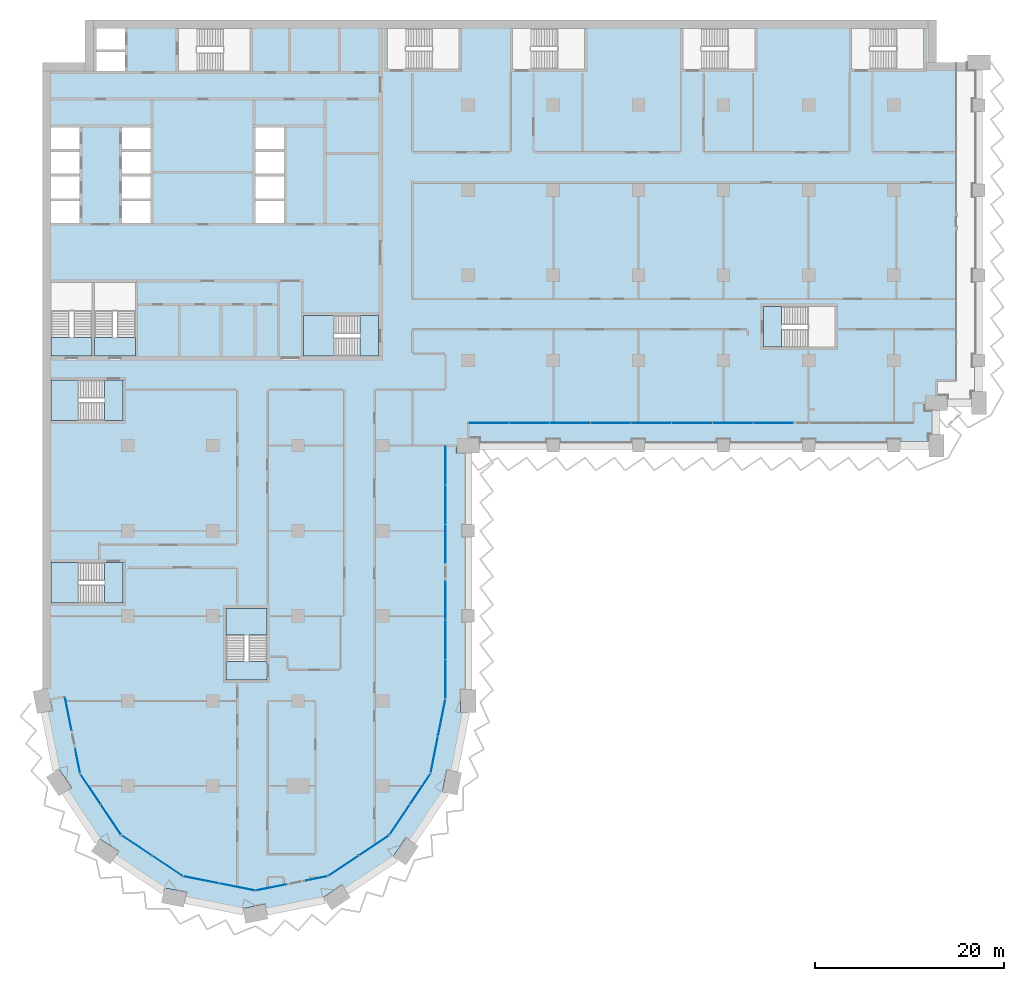
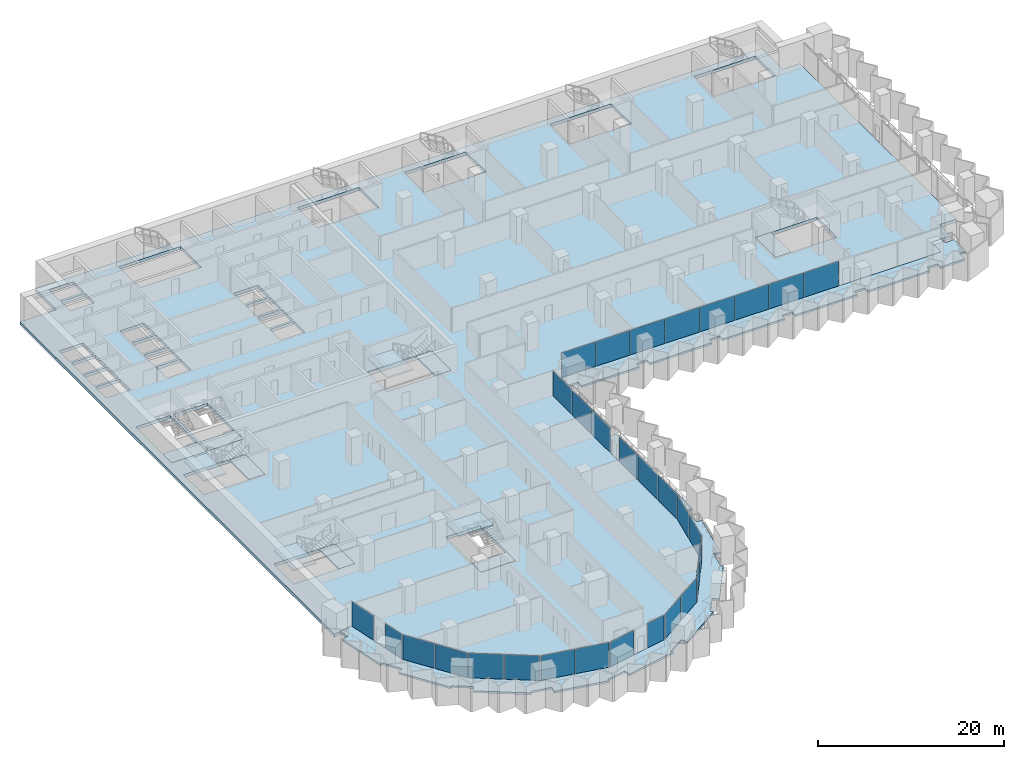
# One storey, part 8 of 28: 30 plates, 14 slabs, 17 elements without a shape of their own.
"""IFC4 building model written with IfcOpenShell, lengths in metres."""

from ifc_helpers import new_model, si_unit, direction, frame, origin, origin_2d, place, context, subcontext, project, spatial, polyline, rectangle, outline, extrude, material, layer, layer_set, type_object, element, aggregate, save


model = new_model("IFC4")

# Units and contexts
model_context = context("Model", 3, precision=1e-05, world=origin(), true_north=direction((0.0, 1.0)))
body_context = subcontext(model_context, "Body", "Model", "MODEL_VIEW")
ifc_project = project(units=[si_unit("LENGTHUNIT", "METRE"), si_unit("AREAUNIT", "SQUARE_METRE"), si_unit("VOLUMEUNIT", "CUBIC_METRE"), si_unit("PLANEANGLEUNIT", "RADIAN"), si_unit("MASSUNIT", "GRAM", prefix="KILO")], contexts=[model_context])

# Site, building, storey
site_placement = place(None, origin())
site = spatial("IfcSite", under=ifc_project, at=site_placement, CompositionType="ELEMENT")
building_placement = place(site_placement, origin())
building = spatial("IfcBuilding", under=site, at=building_placement, Name="Hunhe Ridgeline Campus", CompositionType="ELEMENT")
storey_placement = place(building_placement, frame((0.0, 0.0, 58.0)))
storey = spatial("IfcBuildingStorey", under=building, at=storey_placement, Name="L13", CompositionType="ELEMENT", Elevation=58.0)

# Curtain wall, plate
ifc_material_1 = material(Name="Aluminium 6063", Category="aluminium")
curtain_wall_type_1 = type_object("IfcCurtainWallType", Name="Curtain wall CW-5", PredefinedType="NOTDEFINED", material=ifc_material_1)
curtain_wall_1_placement = place(storey_placement, origin())
curtain_wall_1 = element("IfcCurtainWall", 1, at=curtain_wall_1_placement, inside=storey, type_object=curtain_wall_type_1, Name="Curtain wall 01", PredefinedType="NOTDEFINED")
ifc_material_2 = material(Name="Low-e laminated glass", Category="glass")
ifc_layer_1 = layer(ifc_material_2, 0.028076171875)
ifc_layer_set_1 = layer_set([ifc_layer_1], Name="Curtain wall glass panel 28 low-e laminated")
plate_type = type_object("IfcPlateType", Name="Curtain wall glass panel 28 low-e laminated", PredefinedType="CURTAIN_PANEL", material=ifc_layer_set_1)
plate_1_placement = place(storey_placement, frame((2.7158203125, 25.65380859375, 0.0), z_axis=(0.0, 0.0, 1.0), x_axis=(0.195095326561, -0.980784284924, 0.0)))
plate_1 = element("IfcPlate", 2, at=plate_1_placement, type_object=plate_type, Name="CW-5 panel 1", PredefinedType="CURTAIN_PANEL", context=body_context, shape_type="SweptSolid", body=[
    extrude(rectangle(XDim=3.560791015625, YDim=0.028076171875, at=origin_2d()), origin(), (0.0, 0.0, 1.0), 3.22998046875),
])
aggregate(curtain_wall_1, [plate_1])

curtain_wall_2_placement = place(storey_placement, origin())
curtain_wall_2 = element("IfcCurtainWall", 3, at=curtain_wall_2_placement, inside=storey, type_object=curtain_wall_type_1, Name="Curtain wall 02", PredefinedType="NOTDEFINED")
plate_2_placement = place(storey_placement, frame((3.701171875, 20.699951171875, 0.0), z_axis=(0.0, 0.0, 1.0), x_axis=(0.195095265587, -0.980784297053, 0.0)))
plate_2 = element("IfcPlate", 4, at=plate_2_placement, type_object=plate_type, Name="CW-5 panel 1", PredefinedType="CURTAIN_PANEL", context=body_context, shape_type="SweptSolid", body=[
    extrude(rectangle(XDim=2.660888671875, YDim=0.028076171875, at=origin_2d()), origin(), (0.0, 0.0, 1.0), 3.22998046875),
])
aggregate(curtain_wall_2, [plate_2])

# Curtain wall, plates
curtain_wall_3_placement = place(storey_placement, origin())
curtain_wall_3 = element("IfcCurtainWall", 5, at=curtain_wall_3_placement, inside=storey, type_object=curtain_wall_type_1, Name="Curtain wall 03", PredefinedType="NOTDEFINED")
plate_3_placement = place(storey_placement, frame((5.07080078125, 17.685546875, 0.0), z_axis=(0.0, 0.0, 1.0), x_axis=(0.555570274596, -0.831469584522, 0.0)))
plate_3 = element("IfcPlate", 6, at=plate_3_placement, type_object=plate_type, Name="CW-5 panel 1", PredefinedType="CURTAIN_PANEL", context=body_context, shape_type="SweptSolid", body=[
    extrude(rectangle(XDim=3.806884765625, YDim=0.028076171875, at=origin_2d()), origin(), (0.0, 0.0, 1.0), 3.22998046875),
])
plate_4_placement = place(storey_placement, frame((7.224609375, 14.4619140625, 0.0), z_axis=(0.0, 0.0, 1.0), x_axis=(0.555570274596, -0.831469584522, 0.0)))
plate_4 = element("IfcPlate", 7, at=plate_4_placement, type_object=plate_type, Name="CW-5 panel 2", PredefinedType="CURTAIN_PANEL", context=body_context, shape_type="SweptSolid", body=[
    extrude(rectangle(XDim=3.806884765625, YDim=0.028076171875, at=origin_2d()), origin(), (0.0, 0.0, 1.0), 3.22998046875),
])
aggregate(curtain_wall_3, [plate_3, plate_4])

curtain_wall_4_placement = place(storey_placement, origin())
curtain_wall_4 = element("IfcCurtainWall", 8, at=curtain_wall_4_placement, inside=storey, type_object=curtain_wall_type_1, Name="Curtain wall 04", PredefinedType="NOTDEFINED")
plate_5_placement = place(storey_placement, frame((9.9619140625, 11.724609375, 0.0), z_axis=(0.0, 0.0, 1.0), x_axis=(0.831469584522, -0.555570274596, 0.0)))
plate_5 = element("IfcPlate", 9, at=plate_5_placement, type_object=plate_type, Name="CW-5 panel 1", PredefinedType="CURTAIN_PANEL", context=body_context, shape_type="SweptSolid", body=[
    extrude(rectangle(XDim=3.806884765625, YDim=0.028076171875, at=origin_2d()), origin(), (0.0, 0.0, 1.0), 3.22998046875),
])
plate_6_placement = place(storey_placement, frame((13.185546875, 9.57080078125, 0.0), z_axis=(0.0, 0.0, 1.0), x_axis=(0.831469584522, -0.555570274596, 0.0)))
plate_6 = element("IfcPlate", 10, at=plate_6_placement, type_object=plate_type, Name="CW-5 panel 2", PredefinedType="CURTAIN_PANEL", context=body_context, shape_type="SweptSolid", body=[
    extrude(rectangle(XDim=3.806884765625, YDim=0.028076171875, at=origin_2d()), origin(), (0.0, 0.0, 1.0), 3.22998046875),
])
aggregate(curtain_wall_4, [plate_5, plate_6])

curtain_wall_5_placement = place(storey_placement, origin())
curtain_wall_5 = element("IfcCurtainWall", 11, at=curtain_wall_5_placement, inside=storey, type_object=curtain_wall_type_1, Name="Curtain wall 05", PredefinedType="NOTDEFINED")
plate_7_placement = place(storey_placement, frame((16.761962890625, 8.08935546875, 0.0), z_axis=(0.0, 0.0, 1.0), x_axis=(0.980785275326, -0.195090347539, 0.0)))
plate_7 = element("IfcPlate", 12, at=plate_7_placement, type_object=plate_type, Name="CW-5 panel 1", PredefinedType="CURTAIN_PANEL", context=body_context, shape_type="SweptSolid", body=[
    extrude(rectangle(XDim=3.806884765625, YDim=0.028076171875, at=origin_2d()), origin(), (0.0, 0.0, 1.0), 3.22998046875),
])
plate_8_placement = place(storey_placement, frame((20.564453125, 7.3330078125, 0.0), z_axis=(0.0, 0.0, 1.0), x_axis=(0.980785275326, -0.195090347539, 0.0)))
plate_8 = element("IfcPlate", 13, at=plate_8_placement, type_object=plate_type, Name="CW-5 panel 2", PredefinedType="CURTAIN_PANEL", context=body_context, shape_type="SweptSolid", body=[
    extrude(rectangle(XDim=3.806884765625, YDim=0.028076171875, at=origin_2d()), origin(), (0.0, 0.0, 1.0), 3.22998046875),
])
aggregate(curtain_wall_5, [plate_7, plate_8])

# Curtain wall, plate
curtain_wall_6_placement = place(storey_placement, origin())
curtain_wall_6 = element("IfcCurtainWall", 14, at=curtain_wall_6_placement, inside=storey, type_object=curtain_wall_type_1, Name="Curtain wall 06", PredefinedType="NOTDEFINED")
plate_9_placement = place(storey_placement, frame((24.19775390625, 7.28564453125, 0.0), z_axis=(0.0, 0.0, 1.0), x_axis=(0.980785270791, 0.19509037034, 0.0)))
plate_9 = element("IfcPlate", 15, at=plate_9_placement, type_object=plate_type, Name="CW-5 panel 1", PredefinedType="CURTAIN_PANEL", context=body_context, shape_type="SweptSolid", body=[
    extrude(rectangle(XDim=3.322021484375, YDim=0.028076171875, at=origin_2d()), origin(), (0.0, 0.0, 1.0), 3.22998046875),
])
aggregate(curtain_wall_6, [plate_9])

curtain_wall_7_placement = place(storey_placement, origin())
curtain_wall_7 = element("IfcCurtainWall", 16, at=curtain_wall_7_placement, inside=storey, type_object=curtain_wall_type_1, Name="Curtain wall 07", PredefinedType="NOTDEFINED")
plate_10_placement = place(storey_placement, frame((28.917236328125, 8.224609375, 0.0), z_axis=(0.0, 0.0, 1.0), x_axis=(0.980785242091, 0.195090514627, 0.0)))
plate_10 = element("IfcPlate", 17, at=plate_10_placement, type_object=plate_type, Name="CW-5 panel 1", PredefinedType="CURTAIN_PANEL", context=body_context, shape_type="SweptSolid", body=[
    extrude(rectangle(XDim=2.421875, YDim=0.028076171875, at=origin_2d()), origin(), (0.0, 0.0, 1.0), 3.22998046875),
])
aggregate(curtain_wall_7, [plate_10])

# Curtain wall, plates
curtain_wall_8_placement = place(storey_placement, origin())
curtain_wall_8 = element("IfcCurtainWall", 18, at=curtain_wall_8_placement, inside=storey, type_object=curtain_wall_type_1, Name="Curtain wall 08", PredefinedType="NOTDEFINED")
plate_11_placement = place(storey_placement, frame((31.814453125, 9.57080078125, 0.0), z_axis=(0.0, 0.0, 1.0), x_axis=(0.831469584522, 0.555570274596, 0.0)))
plate_11 = element("IfcPlate", 19, at=plate_11_placement, type_object=plate_type, Name="CW-5 panel 1", PredefinedType="CURTAIN_PANEL", context=body_context, shape_type="SweptSolid", body=[
    extrude(rectangle(XDim=3.806884765625, YDim=0.028076171875, at=origin_2d()), origin(), (0.0, 0.0, 1.0), 3.22998046875),
])
plate_12_placement = place(storey_placement, frame((35.0380859375, 11.724609375, 0.0), z_axis=(0.0, 0.0, 1.0), x_axis=(0.831469584522, 0.555570274596, 0.0)))
plate_12 = element("IfcPlate", 20, at=plate_12_placement, type_object=plate_type, Name="CW-5 panel 2", PredefinedType="CURTAIN_PANEL", context=body_context, shape_type="SweptSolid", body=[
    extrude(rectangle(XDim=3.806884765625, YDim=0.028076171875, at=origin_2d()), origin(), (0.0, 0.0, 1.0), 3.22998046875),
])
aggregate(curtain_wall_8, [plate_11, plate_12])

curtain_wall_9_placement = place(storey_placement, origin())
curtain_wall_9 = element("IfcCurtainWall", 21, at=curtain_wall_9_placement, inside=storey, type_object=curtain_wall_type_1, Name="Curtain wall 09", PredefinedType="NOTDEFINED")
plate_13_placement = place(storey_placement, frame((37.775390625, 14.4619140625, 0.0), z_axis=(0.0, 0.0, 1.0), x_axis=(0.555570274596, 0.831469584522, 0.0)))
plate_13 = element("IfcPlate", 22, at=plate_13_placement, type_object=plate_type, Name="CW-5 panel 1", PredefinedType="CURTAIN_PANEL", context=body_context, shape_type="SweptSolid", body=[
    extrude(rectangle(XDim=3.806884765625, YDim=0.028076171875, at=origin_2d()), origin(), (0.0, 0.0, 1.0), 3.22998046875),
])
plate_14_placement = place(storey_placement, frame((39.92919921875, 17.685546875, 0.0), z_axis=(0.0, 0.0, 1.0), x_axis=(0.555570274596, 0.831469584522, 0.0)))
plate_14 = element("IfcPlate", 23, at=plate_14_placement, type_object=plate_type, Name="CW-5 panel 2", PredefinedType="CURTAIN_PANEL", context=body_context, shape_type="SweptSolid", body=[
    extrude(rectangle(XDim=3.806884765625, YDim=0.028076171875, at=origin_2d()), origin(), (0.0, 0.0, 1.0), 3.22998046875),
])
aggregate(curtain_wall_9, [plate_13, plate_14])

curtain_wall_10_placement = place(storey_placement, origin())
curtain_wall_10 = element("IfcCurtainWall", 24, at=curtain_wall_10_placement, inside=storey, type_object=curtain_wall_type_1, Name="Curtain wall 10", PredefinedType="NOTDEFINED")
plate_15_placement = place(storey_placement, frame((41.42236328125, 21.321044921875, 0.0), z_axis=(0.0, 0.0, 1.0), x_axis=(0.195090299215, 0.980785284939, 0.0)))
plate_15 = element("IfcPlate", 25, at=plate_15_placement, type_object=plate_type, Name="CW-5 panel 1", PredefinedType="CURTAIN_PANEL", context=body_context, shape_type="SweptSolid", body=[
    extrude(rectangle(XDim=3.927490234375, YDim=0.028076171875, at=origin_2d()), origin(), (0.0, 0.0, 1.0), 3.22998046875),
])
plate_16_placement = place(storey_placement, frame((42.2021484375, 25.24169921875, 0.0), z_axis=(0.0, 0.0, 1.0), x_axis=(0.195090299215, 0.980785284939, 0.0)))
plate_16 = element("IfcPlate", 26, at=plate_16_placement, type_object=plate_type, Name="CW-5 panel 2", PredefinedType="CURTAIN_PANEL", context=body_context, shape_type="SweptSolid", body=[
    extrude(rectangle(XDim=3.927490234375, YDim=0.028076171875, at=origin_2d()), origin(), (0.0, 0.0, 1.0), 3.22998046875),
])
aggregate(curtain_wall_10, [plate_15, plate_16])

curtain_wall_type_2 = type_object("IfcCurtainWallType", Name="Curtain wall CW-1", PredefinedType="NOTDEFINED", material=ifc_material_1)
curtain_wall_11_placement = place(storey_placement, origin())
curtain_wall_11 = element("IfcCurtainWall", 27, at=curtain_wall_11_placement, inside=storey, type_object=curtain_wall_type_2, Name="Curtain wall 11", PredefinedType="NOTDEFINED")
plate_17_placement = place(storey_placement, frame((42.59912109375, 29.331787109375, 0.0), z_axis=(0.0, 0.0, 1.0), x_axis=(1.60239e-07, 1.0, 0.0)))
plate_17 = element("IfcPlate", 28, at=plate_17_placement, type_object=plate_type, Name="CW-1 panel 1", PredefinedType="CURTAIN_PANEL", context=body_context, shape_type="SweptSolid", body=[
    extrude(rectangle(XDim=4.070556640625, YDim=0.028076171875, at=origin_2d()), origin(), (0.0, 0.0, 1.0), 3.239990234375),
])
plate_18_placement = place(storey_placement, frame((42.59912109375, 33.477294921875, 0.0), z_axis=(0.0, 0.0, 1.0), x_axis=(1.60239e-07, 1.0, 0.0)))
plate_18 = element("IfcPlate", 29, at=plate_18_placement, type_object=plate_type, Name="CW-1 panel 2", PredefinedType="CURTAIN_PANEL", context=body_context, shape_type="SweptSolid", body=[
    extrude(rectangle(XDim=4.1005859375, YDim=0.028076171875, at=origin_2d()), origin(), (0.0, 0.0, 1.0), 3.239990234375),
])
plate_19_placement = place(storey_placement, frame((42.59912109375, 37.623046875, 0.0), z_axis=(0.0, 0.0, 1.0), x_axis=(1.60239e-07, 1.0, 0.0)))
plate_19 = element("IfcPlate", 30, at=plate_19_placement, type_object=plate_type, Name="CW-1 panel 3", PredefinedType="CURTAIN_PANEL", context=body_context, shape_type="SweptSolid", body=[
    extrude(rectangle(XDim=4.070556640625, YDim=0.028076171875, at=origin_2d()), origin(), (0.0, 0.0, 1.0), 3.239990234375),
])
aggregate(curtain_wall_11, [plate_17, plate_18, plate_19])

curtain_wall_12_placement = place(storey_placement, origin())
curtain_wall_12 = element("IfcCurtainWall", 31, at=curtain_wall_12_placement, inside=storey, type_object=curtain_wall_type_2, Name="Curtain wall 12", PredefinedType="NOTDEFINED")
plate_20_placement = place(storey_placement, frame((42.59912109375, 43.613525390625, 0.0), z_axis=(0.0, 0.0, 1.0), x_axis=(1.60239e-07, 1.0, 0.0)))
plate_20 = element("IfcPlate", 32, at=plate_20_placement, type_object=plate_type, Name="CW-1 panel 1", PredefinedType="CURTAIN_PANEL", context=body_context, shape_type="SweptSolid", body=[
    extrude(rectangle(XDim=4.070556640625, YDim=0.028076171875, at=origin_2d()), origin(), (0.0, 0.0, 1.0), 3.239990234375),
])
plate_21_placement = place(storey_placement, frame((42.59912109375, 47.75927734375, 0.0), z_axis=(0.0, 0.0, 1.0), x_axis=(1.60239e-07, 1.0, 0.0)))
plate_21 = element("IfcPlate", 33, at=plate_21_placement, type_object=plate_type, Name="CW-1 panel 2", PredefinedType="CURTAIN_PANEL", context=body_context, shape_type="SweptSolid", body=[
    extrude(rectangle(XDim=4.1005859375, YDim=0.028076171875, at=origin_2d()), origin(), (0.0, 0.0, 1.0), 3.239990234375),
])
plate_22_placement = place(storey_placement, frame((42.59912109375, 51.90478515625, 0.0), z_axis=(0.0, 0.0, 1.0), x_axis=(1.60239e-07, 1.0, 0.0)))
plate_22 = element("IfcPlate", 34, at=plate_22_placement, type_object=plate_type, Name="CW-1 panel 3", PredefinedType="CURTAIN_PANEL", context=body_context, shape_type="SweptSolid", body=[
    extrude(rectangle(XDim=4.070556640625, YDim=0.028076171875, at=origin_2d()), origin(), (0.0, 0.0, 1.0), 3.239990234375),
])
aggregate(curtain_wall_12, [plate_20, plate_21, plate_22])

curtain_wall_13_placement = place(storey_placement, origin())
curtain_wall_13 = element("IfcCurtainWall", 35, at=curtain_wall_13_placement, inside=storey, type_object=curtain_wall_type_2, Name="Curtain wall 13", PredefinedType="NOTDEFINED")
plate_23_placement = place(storey_placement, frame((47.166015625, 56.40087890625, 0.0), z_axis=(0.0, 0.0, 1.0), x_axis=(0.999999999994, 3.602063e-06, 0.0)))
plate_23 = element("IfcPlate", 36, at=plate_23_placement, type_object=plate_type, Name="CW-1 panel 1", PredefinedType="CURTAIN_PANEL", context=body_context, shape_type="SweptSolid", body=[
    extrude(rectangle(XDim=4.213134765625, YDim=0.028076171875, at=origin_2d()), origin(), (0.0, 0.0, 1.0), 3.239990234375),
])
plate_24_placement = place(storey_placement, frame((51.4541015625, 56.40087890625, 0.0), z_axis=(0.0, 0.0, 1.0), x_axis=(0.999999999994, 3.602063e-06, 0.0)))
plate_24 = element("IfcPlate", 37, at=plate_24_placement, type_object=plate_type, Name="CW-1 panel 2", PredefinedType="CURTAIN_PANEL", context=body_context, shape_type="SweptSolid", body=[
    extrude(rectangle(XDim=4.2431640625, YDim=0.028076171875, at=origin_2d()), origin(), (0.0, 0.0, 1.0), 3.239990234375),
])
plate_25_placement = place(storey_placement, frame((55.757080078125, 56.40087890625, 0.0), z_axis=(0.0, 0.0, 1.0), x_axis=(0.999999999994, 3.602063e-06, 0.0)))
plate_25 = element("IfcPlate", 38, at=plate_25_placement, type_object=plate_type, Name="CW-1 panel 3", PredefinedType="CURTAIN_PANEL", context=body_context, shape_type="SweptSolid", body=[
    extrude(rectangle(XDim=4.2431640625, YDim=0.028076171875, at=origin_2d()), origin(), (0.0, 0.0, 1.0), 3.239990234375),
])
plate_26_placement = place(storey_placement, frame((60.060302734375, 56.40087890625, 0.0), z_axis=(0.0, 0.0, 1.0), x_axis=(0.999999999994, 3.602063e-06, 0.0)))
plate_26 = element("IfcPlate", 39, at=plate_26_placement, type_object=plate_type, Name="CW-1 panel 4", PredefinedType="CURTAIN_PANEL", context=body_context, shape_type="SweptSolid", body=[
    extrude(rectangle(XDim=4.2431640625, YDim=0.028076171875, at=origin_2d()), origin(), (0.0, 0.0, 1.0), 3.239990234375),
])
plate_27_placement = place(storey_placement, frame((64.36328125, 56.40087890625, 0.0), z_axis=(0.0, 0.0, 1.0), x_axis=(0.999999999994, 3.602063e-06, 0.0)))
plate_27 = element("IfcPlate", 40, at=plate_27_placement, type_object=plate_type, Name="CW-1 panel 5", PredefinedType="CURTAIN_PANEL", context=body_context, shape_type="SweptSolid", body=[
    extrude(rectangle(XDim=4.2431640625, YDim=0.028076171875, at=origin_2d()), origin(), (0.0, 0.0, 1.0), 3.239990234375),
])
plate_28_placement = place(storey_placement, frame((68.66650390625, 56.40087890625, 0.0), z_axis=(0.0, 0.0, 1.0), x_axis=(0.999999999994, 3.602063e-06, 0.0)))
plate_28 = element("IfcPlate", 41, at=plate_28_placement, type_object=plate_type, Name="CW-1 panel 6", PredefinedType="CURTAIN_PANEL", context=body_context, shape_type="SweptSolid", body=[
    extrude(rectangle(XDim=4.2431640625, YDim=0.028076171875, at=origin_2d()), origin(), (0.0, 0.0, 1.0), 3.239990234375),
])
plate_29_placement = place(storey_placement, frame((72.969482421875, 56.40087890625, 0.0), z_axis=(0.0, 0.0, 1.0), x_axis=(0.999999999994, 3.602063e-06, 0.0)))
plate_29 = element("IfcPlate", 42, at=plate_29_placement, type_object=plate_type, Name="CW-1 panel 7", PredefinedType="CURTAIN_PANEL", context=body_context, shape_type="SweptSolid", body=[
    extrude(rectangle(XDim=4.2431640625, YDim=0.028076171875, at=origin_2d()), origin(), (0.0, 0.0, 1.0), 3.239990234375),
])
plate_30_placement = place(storey_placement, frame((77.257568359375, 56.40087890625, 0.0), z_axis=(0.0, 0.0, 1.0), x_axis=(0.999999999994, 3.602063e-06, 0.0)))
plate_30 = element("IfcPlate", 43, at=plate_30_placement, type_object=plate_type, Name="CW-1 panel 8", PredefinedType="CURTAIN_PANEL", context=body_context, shape_type="SweptSolid", body=[
    extrude(rectangle(XDim=4.213134765625, YDim=0.028076171875, at=origin_2d()), origin(), (0.0, 0.0, 1.0), 3.239990234375),
])
aggregate(curtain_wall_13, [plate_23, plate_24, plate_25, plate_26, plate_27, plate_28, plate_29, plate_30])

# Slabs
ifc_material_3 = material(Name="Concrete C40", Category="concrete")
ifc_layer_2 = layer(ifc_material_3, 0.39990234375)
ifc_layer_set_2 = layer_set([ifc_layer_2], Name="Floor slab 400 Concrete C40")
slab_type_1 = type_object("IfcSlabType", Name="Floor slab 400 Concrete C40", PredefinedType="FLOOR", material=ifc_layer_set_2)
slab_1_placement = place(storey_placement, frame((0.0, 0.0, -0.39990234375)))
element("IfcSlab", 44, at=slab_1_placement, inside=storey, type_object=slab_type_1, Name="Floor slab L13 1", PredefinedType="FLOOR", context=body_context, shape_type="SweptSolid", body=[
    extrude(outline(polyline([(4.5, 94.5), (0.0, 94.5), (0.0, 27.0009765625), (2.354736328125, 27.46875), (3.974365234375, 19.326416015625), (8.321044921875, 12.821044921875), (14.826416015625, 8.474365234375), (22.5, 6.947998046875), (30.173583984375, 8.474365234375), (36.678955078125, 12.821044921875), (41.025634765625, 19.326416015625), (42.59912109375, 27.236572265625), (42.59912109375, 54.0), (44.9990234375, 54.0009765625), (44.99951171875, 56.40087890625), (92.09912109375, 56.40087890625), (92.099365234375, 58.500732421875), (94.4990234375, 58.5009765625), (94.499267578125, 60.900634765625), (96.59912109375, 60.90087890625), (96.59912109375, 94.5), (94.5, 94.5), (94.5, 99.0), (4.5, 99.0), (4.5, 94.5)]), holes=[polyline([(93.14990234375, 93.800048828125), (93.14990234375, 98.10009765625), (85.550048828125, 98.10009765625), (85.550048828125, 93.800048828125), (93.14990234375, 93.800048828125)]), polyline([(76.199951171875, 68.699951171875), (76.199951171875, 64.39990234375), (83.800048828125, 64.39990234375), (83.800048828125, 68.699951171875), (76.199951171875, 68.699951171875)]), polyline([(75.300048828125, 98.10009765625), (67.699951171875, 98.10009765625), (67.699951171875, 93.800048828125), (75.300048828125, 93.800048828125), (75.300048828125, 98.10009765625)]), polyline([(49.699951171875, 98.10009765625), (49.699951171875, 93.800048828125), (57.300048828125, 93.800048828125), (57.300048828125, 98.10009765625), (49.699951171875, 98.10009765625)]), polyline([(36.449951171875, 93.800048828125), (44.050048828125, 93.800048828125), (44.050048828125, 98.10009765625), (36.449951171875, 98.10009765625), (36.449951171875, 93.800048828125)]), polyline([(35.5, 63.5), (35.5, 67.75), (27.60009765625, 67.75), (27.60009765625, 63.5), (35.5, 63.5)]), polyline([(25.5, 80.14990234375), (25.5, 82.449951171875), (22.5, 82.449951171875), (22.5, 80.14990234375), (25.5, 80.14990234375)]), polyline([(25.5, 79.85009765625), (22.5, 79.85009765625), (22.5, 77.550048828125), (25.5, 77.550048828125), (25.5, 79.85009765625)]), polyline([(22.5, 87.64990234375), (22.5, 85.35009765625), (25.5, 85.35009765625), (25.5, 87.64990234375), (22.5, 87.64990234375)]), polyline([(22.5, 82.75), (25.5, 82.75), (25.5, 85.050048828125), (22.5, 85.050048828125), (22.5, 82.75)]), polyline([(23.699951171875, 29.199951171875), (23.699951171875, 36.800048828125), (19.39990234375, 36.800048828125), (19.39990234375, 29.199951171875), (23.699951171875, 29.199951171875)]), polyline([(14.35009765625, 93.60009765625), (21.949951171875, 93.60009765625), (21.949951171875, 98.10009765625), (14.35009765625, 98.10009765625), (14.35009765625, 93.60009765625)]), polyline([(11.39990234375, 79.85009765625), (8.39990234375, 79.85009765625), (8.39990234375, 77.550048828125), (11.39990234375, 77.550048828125), (11.39990234375, 79.85009765625)]), polyline([(11.39990234375, 80.14990234375), (11.39990234375, 82.449951171875), (8.39990234375, 82.449951171875), (8.39990234375, 80.14990234375), (11.39990234375, 80.14990234375)]), polyline([(8.39990234375, 87.64990234375), (8.39990234375, 85.35009765625), (11.39990234375, 85.35009765625), (11.39990234375, 87.64990234375), (8.39990234375, 87.64990234375)]), polyline([(8.39990234375, 82.75), (11.39990234375, 82.75), (11.39990234375, 85.050048828125), (8.39990234375, 85.050048828125), (8.39990234375, 82.75)]), polyline([(9.800048828125, 71.25), (5.5, 71.25), (5.5, 63.5), (9.800048828125, 63.5), (9.800048828125, 71.25)]), polyline([(8.699951171875, 95.89990234375), (8.699951171875, 98.10009765625), (5.699951171875, 98.10009765625), (5.699951171875, 95.89990234375), (8.699951171875, 95.89990234375)]), polyline([(8.699951171875, 95.60009765625), (5.699951171875, 95.60009765625), (5.699951171875, 93.60009765625), (8.699951171875, 93.60009765625), (8.699951171875, 95.60009765625)]), polyline([(0.89990234375, 37.35009765625), (8.5, 37.35009765625), (8.5, 41.64990234375), (0.89990234375, 41.64990234375), (0.89990234375, 37.35009765625)]), polyline([(0.89990234375, 60.949951171875), (0.89990234375, 56.64990234375), (8.5, 56.64990234375), (8.5, 60.949951171875), (0.89990234375, 60.949951171875)]), polyline([(0.89990234375, 71.25), (0.89990234375, 63.5), (5.199951171875, 63.5), (5.199951171875, 71.25), (0.89990234375, 71.25)]), polyline([(3.89990234375, 80.14990234375), (3.89990234375, 82.449951171875), (0.89990234375, 82.449951171875), (0.89990234375, 80.14990234375), (3.89990234375, 80.14990234375)]), polyline([(3.89990234375, 79.85009765625), (0.89990234375, 79.85009765625), (0.89990234375, 77.550048828125), (3.89990234375, 77.550048828125), (3.89990234375, 79.85009765625)]), polyline([(0.89990234375, 87.64990234375), (0.89990234375, 85.35009765625), (3.89990234375, 85.35009765625), (3.89990234375, 87.64990234375), (0.89990234375, 87.64990234375)]), polyline([(0.89990234375, 82.75), (3.89990234375, 82.75), (3.89990234375, 85.050048828125), (0.89990234375, 85.050048828125), (0.89990234375, 82.75)])]), origin(), (0.0, 0.0, 1.0), 0.39990234375),
])
ifc_layer_3 = layer(ifc_material_3, 0.25)
ifc_layer_set_3 = layer_set([ifc_layer_3], Name="Loggia slab 250 Concrete C40")
slab_type_2 = type_object("IfcSlabType", Name="Loggia slab 250 Concrete C40", PredefinedType="FLOOR", material=ifc_layer_set_3)
slab_2_placement = place(storey_placement, frame((0.0, 0.0, -0.25)))
element("IfcSlab", 45, at=slab_2_placement, inside=storey, type_object=slab_type_2, Name="Loggia slab 1", PredefinedType="FLOOR", context=body_context, shape_type="SweptSolid", body=[
    extrude(outline(polyline([(30.173828125, 8.473388671875), (22.5, 6.947021484375), (14.826171875, 8.473388671875), (8.3203125, 12.8203125), (3.973388671875, 19.326171875), (2.35400390625, 27.46826171875), (0.78466796875, 27.156005859375), (1.018798828125, 25.979248046875), (0.234130859375, 25.822998046875), (1.459228515625, 19.66357421875), (1.711181640625, 19.831787109375), (3.044677734375, 17.83642578125), (2.37939453125, 17.391845703125), (5.868408203125, 12.170166015625), (6.036865234375, 12.421875), (8.0322265625, 11.088623046875), (7.587890625, 10.42333984375), (12.8095703125, 6.934326171875), (12.86865234375, 7.2314453125), (15.22265625, 6.76318359375), (15.066650390625, 5.978515625), (21.22607421875, 4.75341796875), (21.1669921875, 5.050537109375), (23.520751953125, 5.518798828125), (23.677001953125, 4.734130859375), (29.83642578125, 5.959228515625), (29.668212890625, 6.211181640625), (31.66357421875, 7.544677734375), (32.108154296875, 6.87939453125), (37.329833984375, 10.368408203125), (37.078125, 10.536865234375), (38.411376953125, 12.5322265625), (39.07666015625, 12.087890625), (42.565673828125, 17.3095703125), (42.2685546875, 17.36865234375), (42.73681640625, 19.72265625), (43.521484375, 19.566650390625), (44.76123046875, 25.800048828125), (44.199951171875, 25.800048828125), (44.199951171875, 28.199951171875), (45.0, 28.199951171875), (45.0, 35.35009765625), (44.35009765625, 35.35009765625), (44.35009765625, 36.64990234375), (45.0, 36.64990234375), (45.0, 44.35009765625), (44.35009765625, 44.35009765625), (44.35009765625, 45.64990234375), (45.0, 45.64990234375), (45.0, 53.199951171875), (43.800048828125, 53.199951171875), (43.800048828125, 54.0), (42.60009765625, 54.0), (42.60009765625, 27.236328125), (41.026611328125, 19.326171875), (36.6796875, 12.8203125), (30.173828125, 8.473388671875)])), origin(), (0.0, 0.0, 1.0), 0.25),
])
slab_3_placement = place(storey_placement, frame((0.0, 0.0, -0.25)))
element("IfcSlab", 46, at=slab_3_placement, inside=storey, type_object=slab_type_2, Name="Loggia slab 2", PredefinedType="FLOOR", context=body_context, shape_type="SweptSolid", body=[
    extrude(outline(polyline([(45.0, 54.800048828125), (46.199951171875, 54.800048828125), (46.199951171875, 54.0), (53.35009765625, 54.0), (53.35009765625, 54.64990234375), (54.64990234375, 54.64990234375), (54.64990234375, 54.0), (62.35009765625, 54.0), (62.35009765625, 54.64990234375), (63.64990234375, 54.64990234375), (63.64990234375, 54.0), (71.35009765625, 54.0), (71.35009765625, 54.64990234375), (72.64990234375, 54.64990234375), (72.64990234375, 54.0), (80.35009765625, 54.0), (80.35009765625, 54.64990234375), (81.64990234375, 54.64990234375), (81.64990234375, 54.0), (89.35009765625, 54.0), (89.35009765625, 54.64990234375), (90.64990234375, 54.64990234375), (90.64990234375, 54.0), (93.699951171875, 54.0), (93.699951171875, 55.199951171875), (94.5, 55.199951171875), (94.5, 57.699951171875), (93.300048828125, 57.699951171875), (93.300048828125, 58.5), (92.10009765625, 58.5), (92.10009765625, 56.39990234375), (45.0, 56.39990234375), (45.0, 54.800048828125)])), origin(), (0.0, 0.0, 1.0), 0.25),
])

# Stair, slab
stair_type = type_object("IfcStairType", Name="Reinforced concrete dog-leg stair 1950 Concrete C40", PredefinedType="HALF_TURN_STAIR", material=ifc_material_3)
stair_1_placement = place(storey_placement, origin())
stair_1 = element("IfcStair", 47, at=stair_1_placement, inside=storey, type_object=stair_type, Name="L13 S2", PredefinedType="HALF_TURN_STAIR")
ifc_layer_4 = layer(ifc_material_3, 0.199951171875)
ifc_layer_set_4 = layer_set([ifc_layer_4], Name="Reinforced concrete stair landing 200 Concrete C40")
slab_type_3 = type_object("IfcSlabType", Name="Reinforced concrete stair landing 200 Concrete C40", PredefinedType="LANDING", material=ifc_layer_set_4)
slab_4_placement = place(storey_placement, frame((0.0, 0.0, 1.64990234375)))
slab_4 = element("IfcSlab", 48, at=slab_4_placement, type_object=slab_type_3, Name="ST2 landing 1", PredefinedType="LANDING", context=body_context, shape_type="SweptSolid", body=[
    extrude(outline(polyline([(30.75, 67.75), (27.60009765625, 67.75), (27.60009765625, 63.5), (30.75, 63.5), (30.75, 67.75)])), origin(), (0.0, 0.0, 1.0), 0.2001953125),
])
aggregate(stair_1, [slab_4])

# Slabs
slab_5_placement = place(storey_placement, frame((0.0, 0.0, -0.199951171875)))
element("IfcSlab", 49, at=slab_5_placement, inside=storey, type_object=slab_type_3, Name="L13 stair S2 floor landing", PredefinedType="LANDING", context=body_context, shape_type="SweptSolid", body=[
    extrude(outline(polyline([(35.5, 67.75), (33.550048828125, 67.75), (33.550048828125, 63.5), (35.5, 63.5), (35.5, 67.75)])), origin(), (0.0, 0.0, 1.0), 0.199951171875),
])
slab_6_placement = place(storey_placement, frame((0.0, 0.0, -0.199951171875)))
element("IfcSlab", 50, at=slab_6_placement, inside=storey, type_object=slab_type_3, Name="L13 stair S3 floor landing", PredefinedType="LANDING", context=body_context, shape_type="SweptSolid", body=[
    extrude(outline(polyline([(5.199951171875, 63.5), (5.199951171875, 65.449951171875), (0.89990234375, 65.449951171875), (0.89990234375, 63.5), (5.199951171875, 63.5)])), origin(), (0.0, 0.0, 1.0), 0.199951171875),
])
slab_7_placement = place(storey_placement, frame((0.0, 0.0, -0.199951171875)))
element("IfcSlab", 51, at=slab_7_placement, inside=storey, type_object=slab_type_3, Name="L13 stair S4 floor landing", PredefinedType="LANDING", context=body_context, shape_type="SweptSolid", body=[
    extrude(outline(polyline([(9.800048828125, 63.5), (9.800048828125, 65.449951171875), (5.5, 65.449951171875), (5.5, 63.5), (9.800048828125, 63.5)])), origin(), (0.0, 0.0, 1.0), 0.199951171875),
])

# Stair, slab
stair_2_placement = place(storey_placement, origin())
stair_2 = element("IfcStair", 52, at=stair_2_placement, inside=storey, type_object=stair_type, Name="L13 W3", PredefinedType="HALF_TURN_STAIR")
slab_8_placement = place(storey_placement, frame((0.0, 0.0, 1.64990234375)))
slab_8 = element("IfcSlab", 53, at=slab_8_placement, type_object=slab_type_3, Name="ST9 landing 1", PredefinedType="LANDING", context=body_context, shape_type="SweptSolid", body=[
    extrude(outline(polyline([(23.699951171875, 33.949951171875), (23.699951171875, 36.800048828125), (19.39990234375, 36.800048828125), (19.39990234375, 33.949951171875), (23.699951171875, 33.949951171875)])), origin(), (0.0, 0.0, 1.0), 0.2001953125),
])
aggregate(stair_2, [slab_8])

# Slabs
slab_9_placement = place(storey_placement, frame((0.0, 0.0, -0.199951171875)))
element("IfcSlab", 54, at=slab_9_placement, inside=storey, type_object=slab_type_3, Name="L13 stair W3 floor landing", PredefinedType="LANDING", context=body_context, shape_type="SweptSolid", body=[
    extrude(outline(polyline([(23.699951171875, 29.199951171875), (23.699951171875, 31.14990234375), (19.39990234375, 31.14990234375), (19.39990234375, 29.199951171875), (23.699951171875, 29.199951171875)])), origin(), (0.0, 0.0, 1.0), 0.199951171875),
])
slab_10_placement = place(storey_placement, frame((0.0, 0.0, -0.199951171875)))
element("IfcSlab", 55, at=slab_10_placement, inside=storey, type_object=slab_type_3, Name="L13 stair E5 floor landing", PredefinedType="LANDING", context=body_context, shape_type="SweptSolid", body=[
    extrude(outline(polyline([(76.199951171875, 64.39990234375), (78.14990234375, 64.39990234375), (78.14990234375, 68.699951171875), (76.199951171875, 68.699951171875), (76.199951171875, 64.39990234375)])), origin(), (0.0, 0.0, 1.0), 0.199951171875),
])

# Stair, slab
stair_3_placement = place(storey_placement, origin())
stair_3 = element("IfcStair", 56, at=stair_3_placement, inside=storey, type_object=stair_type, Name="L13 W1", PredefinedType="HALF_TURN_STAIR")
slab_11_placement = place(storey_placement, frame((0.0, 0.0, 1.64990234375)))
slab_11 = element("IfcSlab", 57, at=slab_11_placement, type_object=slab_type_3, Name="ST11 landing 1", PredefinedType="LANDING", context=body_context, shape_type="SweptSolid", body=[
    extrude(outline(polyline([(3.75, 41.64990234375), (0.89990234375, 41.64990234375), (0.89990234375, 37.35009765625), (3.75, 37.35009765625), (3.75, 41.64990234375)])), origin(), (0.0, 0.0, 1.0), 0.2001953125),
])
aggregate(stair_3, [slab_11])

# Slab
slab_12_placement = place(storey_placement, frame((0.0, 0.0, -0.199951171875)))
element("IfcSlab", 58, at=slab_12_placement, inside=storey, type_object=slab_type_3, Name="L13 stair W1 floor landing", PredefinedType="LANDING", context=body_context, shape_type="SweptSolid", body=[
    extrude(outline(polyline([(8.5, 41.64990234375), (6.550048828125, 41.64990234375), (6.550048828125, 37.35009765625), (8.5, 37.35009765625), (8.5, 41.64990234375)])), origin(), (0.0, 0.0, 1.0), 0.199951171875),
])

# Stair, slab
stair_4_placement = place(storey_placement, origin())
stair_4 = element("IfcStair", 59, at=stair_4_placement, inside=storey, type_object=stair_type, Name="L13 W2", PredefinedType="HALF_TURN_STAIR")
slab_13_placement = place(storey_placement, frame((0.0, 0.0, 1.64990234375)))
slab_13 = element("IfcSlab", 60, at=slab_13_placement, type_object=slab_type_3, Name="ST12 landing 1", PredefinedType="LANDING", context=body_context, shape_type="SweptSolid", body=[
    extrude(outline(polyline([(3.75, 60.949951171875), (0.89990234375, 60.949951171875), (0.89990234375, 56.64990234375), (3.75, 56.64990234375), (3.75, 60.949951171875)])), origin(), (0.0, 0.0, 1.0), 0.2001953125),
])
aggregate(stair_4, [slab_13])

# Slab
slab_14_placement = place(storey_placement, frame((0.0, 0.0, -0.199951171875)))
element("IfcSlab", 61, at=slab_14_placement, inside=storey, type_object=slab_type_3, Name="L13 stair W2 floor landing", PredefinedType="LANDING", context=body_context, shape_type="SweptSolid", body=[
    extrude(outline(polyline([(8.5, 60.949951171875), (6.550048828125, 60.949951171875), (6.550048828125, 56.64990234375), (8.5, 56.64990234375), (8.5, 60.949951171875)])), origin(), (0.0, 0.0, 1.0), 0.199951171875),
])

save(model, "model.ifc")
